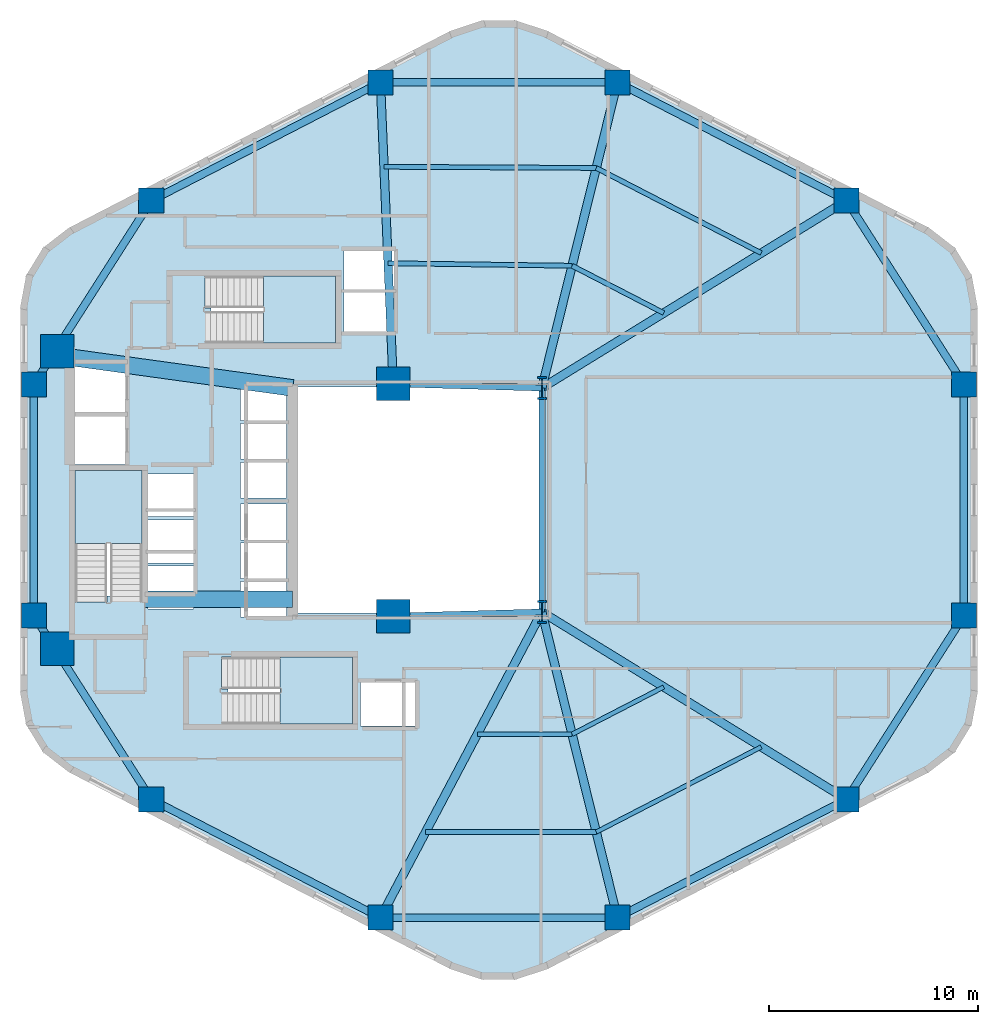
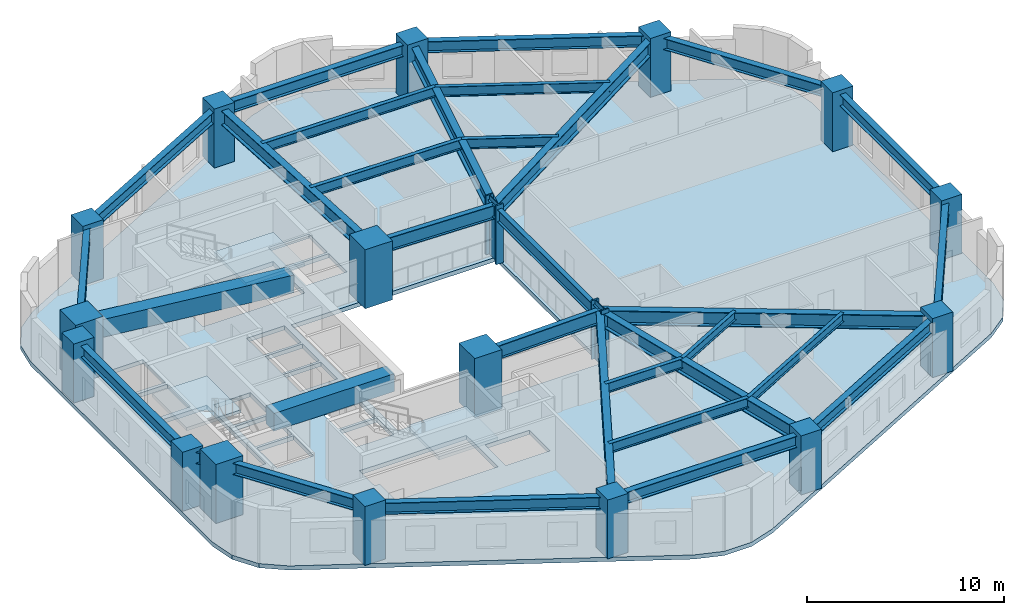
# One storey, part 1 of 7: 31 beams, 18 columns, 4 slabs, 3 elements without a shape of their own.
"""IFC4 building model written with IfcOpenShell, lengths in metres."""

from ifc_helpers import new_model, si_unit, direction, frame, origin, origin_2d, place, context, subcontext, project, spatial, polyline, rectangle, i_section, outline, extrude, material, layer, layer_set, material_profile, profile_set, type_object, element, aggregate, save


model = new_model("IFC4")

# Units and contexts
model_context = context("Model", 3, precision=1e-05, world=origin(), true_north=direction((0.0, 1.0)))
body_context = subcontext(model_context, "Body", "Model", "MODEL_VIEW")
ifc_project = project(units=[si_unit("LENGTHUNIT", "METRE"), si_unit("AREAUNIT", "SQUARE_METRE"), si_unit("VOLUMEUNIT", "CUBIC_METRE"), si_unit("PLANEANGLEUNIT", "RADIAN"), si_unit("MASSUNIT", "GRAM", prefix="KILO"), si_unit("THERMODYNAMICTEMPERATUREUNIT", "KELVIN"), si_unit("POWERUNIT", "WATT")], contexts=[model_context])

# Site, building, storey
site_placement = place(None, origin())
site = spatial("IfcSite", under=ifc_project, at=site_placement, CompositionType="ELEMENT")
building_placement = place(site_placement, origin())
building = spatial("IfcBuilding", under=site, at=building_placement, Name="Skarre Station Tower", CompositionType="ELEMENT")
storey_placement = place(building_placement, frame((0.0, 0.0, 89.050048828125)))
storey = spatial("IfcBuildingStorey", under=building, at=storey_placement, Name="L23", CompositionType="ELEMENT", Elevation=89.050048828125)

# Columns
ifc_material_1 = material(Name="Concrete C60/75", Category="concrete")
ifc_material_profile_1 = material_profile(ifc_material_1, rectangle(XDim=1.199951171875, YDim=1.199951171875, at=origin_2d()), Name="Concrete C60/75")
ifc_profile_set_1 = profile_set([ifc_material_profile_1], Name="Concrete C60/75")
column_type_1 = type_object("IfcColumnType", Name="RC Structural Column RC-COL-1200X1200", PredefinedType="COLUMN", material=ifc_profile_set_1)
for number, where, z_axis, x_axis, name in (
    (1, (54.007080078125, 38.298095703125, 0.0), (0.0, 0.0, 1.0), (1.0, 0.0, 0.0), "L23 Zone 1 Perimeter Column F0C1"),
    (2, (43.06005859375, 43.947021484375, 0.0), (0.0, 0.0, 1.0), (1.0, 0.0, 0.0), "L23 Zone 1 Perimeter Column F0C2"),
    (3, (31.739990234375, 43.947021484375, 0.0), (0.0, 0.0, 1.0), (1.0, 0.0, 0.0), "L23 Zone 1 Perimeter Column F1C1"),
    (4, (20.79296875, 38.298095703125, 0.0), (0.0, 0.0, 1.0), (1.0, 0.0, 0.0), "L23 Zone 1 Perimeter Column F1C2"),
    (5, (15.18701171875, 29.52099609375, 0.0), (0.0, 0.0, 1.0), (1.0, 0.0, 0.0), "L23 Zone 1 Perimeter Column F2C1"),
    (6, (15.18701171875, 18.47900390625, 0.0), (0.0, 0.0, 1.0), (1.0, 0.0, 0.0), "L23 Zone 1 Perimeter Column F2C2"),
    (7, (20.79296875, 9.701904296875, 0.0), (0.0, 0.0, 1.0), (1.0, 0.0, 0.0), "L23 Zone 1 Perimeter Column F3C1"),
    (8, (31.739990234375, 4.052978515625, 0.0), (0.0, 0.0, 1.0), (1.0, 0.0, 0.0), "L23 Zone 1 Perimeter Column F3C2"),
    (9, (43.06005859375, 4.052978515625, 0.0), (0.0, 0.0, 1.0), (1.0, 0.0, 0.0), "L23 Zone 1 Perimeter Column F4C1"),
    (10, (54.007080078125, 9.701904296875, 0.0), (0.0, 0.0, 1.0), (1.0, 0.0, 0.0), "L23 Zone 1 Perimeter Column F4C2"),
    (11, (59.613037109375, 18.47900390625, 0.0), (0.0, 0.0, 1.0), (1.0, 0.0, 0.0), "L23 Zone 1 Perimeter Column F5C1"),
    (12, (59.613037109375, 29.52099609375, 0.0), (0.0, 0.0, 1.0), (1.0, 0.0, 0.0), "L23 Zone 1 Perimeter Column F5C2"),
):
    element("IfcColumn", number, at=place(storey_placement, frame(where, z_axis=z_axis, x_axis=x_axis)), inside=storey, type_object=column_type_1, Name=name, PredefinedType="COLUMN", context=body_context, shape_type="SweptSolid", body=[
        extrude(rectangle(XDim=1.199951171875, YDim=1.199951171875, at=origin_2d()), origin(), (0.0, 0.0, 1.0), 3.64990234375),
    ])
ifc_material_2 = material(Name="Concrete C70/85", Category="concrete")
ifc_material_profile_2 = material_profile(ifc_material_2, rectangle(XDim=1.60009765625, YDim=1.60009765625, at=origin_2d()), Name="Concrete C70/85")
ifc_profile_set_2 = profile_set([ifc_material_profile_2], Name="Concrete C70/85")
column_type_2 = type_object("IfcColumnType", Name="RC Structural Column RC-COL-1600X1600", PredefinedType="COLUMN", material=ifc_profile_set_2)
for number, where, z_axis, x_axis, name in (
    (13, (16.300048828125, 16.89990234375, 0.0), (0.0, 0.0, 1.0), (1.0, 0.0, 0.0), "L23 Core Column CC-SW"),
    (14, (16.300048828125, 31.10009765625, 0.0), (0.0, 0.0, 1.0), (1.0, 0.0, 0.0), "L23 Core Column CC-NW"),
    (15, (32.35009765625, 18.449951171875, 0.0), (0.0, 0.0, 1.0), (1.0, 0.0, 0.0), "L23 Core Column CC-SE"),
    (16, (32.35009765625, 29.550048828125, 0.0), (0.0, 0.0, 1.0), (1.0, 0.0, 0.0), "L23 Core Column CC-NE"),
):
    element("IfcColumn", number, at=place(storey_placement, frame(where, z_axis=z_axis, x_axis=x_axis)), inside=storey, type_object=column_type_2, Name=name, PredefinedType="COLUMN", context=body_context, shape_type="SweptSolid", body=[
        extrude(rectangle(XDim=1.60009765625, YDim=1.60009765625, at=origin_2d()), origin(), (0.0, 0.0, 1.0), 3.64990234375),
    ])
ifc_material_3 = material(Name="Steel ASTM A913 Grade 65", Category="steel")
ifc_material_profile_3 = material_profile(ifc_material_3, i_section(OverallWidth=0.424072265625, OverallDepth=1.092041015625, WebThickness=0.044921875, FlangeThickness=0.08203125, at=origin_2d()), Name="Steel ASTM A913 Grade 65")
ifc_profile_set_3 = profile_set([ifc_material_profile_3], Name="Steel ASTM A913 Grade 65")
column_type_3 = type_object("IfcColumnType", Name="Steel Column W40X593", PredefinedType="COLUMN", material=ifc_profile_set_3)
for number, where, z_axis, x_axis, name in (
    (17, (39.449951171875, 18.64990234375, 0.0), (0.0, 0.0, 1.0), (1.0, 0.0, 0.0), "L23 Atrium Spine Column AC-SE"),
    (18, (39.449951171875, 29.35009765625, 0.0), (0.0, 0.0, 1.0), (1.0, 0.0, 0.0), "L23 Atrium Spine Column AC-NE"),
):
    element("IfcColumn", number, at=place(storey_placement, frame(where, z_axis=z_axis, x_axis=x_axis)), inside=storey, type_object=column_type_3, Name=name, PredefinedType="COLUMN", context=body_context, shape_type="SweptSolid", body=[
        extrude(i_section(OverallWidth=0.424072265625, OverallDepth=1.092041015625, WebThickness=0.044921875, FlangeThickness=0.08203125, at=origin_2d()), origin(), (0.0, 0.0, 1.0), 3.64990234375),
    ])

# Beams
ifc_material_profile_4 = material_profile(ifc_material_2, rectangle(XDim=0.800048828125, YDim=1.10009765625, at=origin_2d()), Name="Concrete C70/85")
ifc_profile_set_4 = profile_set([ifc_material_profile_4], Name="Concrete C70/85")
beam_type_1 = type_object("IfcBeamType", Name="RC Core Coupling Lintel 800x1100", PredefinedType="LINTEL", material=ifc_profile_set_4)
beam_1_placement = place(storey_placement, frame((20.489990234375, 19.260009765625, 2.83984375), z_axis=(1.0, 0.0, 0.0), x_axis=(0.0, 1.0, 0.0)))
element("IfcBeam", 19, at=beam_1_placement, inside=storey, type_object=beam_type_1, Name="L23 South Core Coupling Lintel", PredefinedType="LINTEL", context=body_context, shape_type="SweptSolid", body=[
    extrude(rectangle(XDim=0.800048828125, YDim=1.10009765625, at=origin_2d()), origin(), (0.0, 0.0, 1.0), 7.06005859375),
])
beam_2_placement = place(storey_placement, frame((17.050048828125, 30.800048828125, 2.83984375), z_axis=(0.990599723633, -0.136792498109, 0.0), x_axis=(0.136792498109, 0.990599723633, 0.0)))
element("IfcBeam", 20, at=beam_2_placement, inside=storey, type_object=beam_type_1, Name="L23 North Core Coupling Lintel", PredefinedType="LINTEL", context=body_context, shape_type="SweptSolid", body=[
    extrude(rectangle(XDim=0.800048828125, YDim=1.10009765625, at=origin_2d()), origin(), (0.0, 0.0, 1.0), 10.599609375),
])
ifc_material_4 = material(Name="Steel ASTM A992 Grade 50", Category="steel")
ifc_material_profile_5 = material_profile(ifc_material_4, i_section(OverallWidth=0.26806640625, OverallDepth=0.77001953125, WebThickness=0.01611328125, FlangeThickness=0.02490234375, at=origin_2d()), Name="Steel ASTM A992 Grade 50")
ifc_profile_set_5 = profile_set([ifc_material_profile_5], Name="Steel ASTM A992 Grade 50")
beam_type_2 = type_object("IfcBeamType", Name="Steel Beam W30X132", PredefinedType="BEAM", material=ifc_profile_set_5)
beam_3_placement = place(storey_placement, frame((39.449951171875, 18.64990234375, 3.0048828125), z_axis=(0.0, 1.0, 0.0), x_axis=(-1.0, 0.0, 0.0)))
element("IfcBeam", 21, at=beam_3_placement, inside=storey, type_object=beam_type_2, Name="L23 Atrium East Edge Girder", PredefinedType="BEAM", context=body_context, shape_type="SweptSolid", body=[
    extrude(i_section(OverallWidth=0.26806640625, OverallDepth=0.77001953125, WebThickness=0.01611328125, FlangeThickness=0.02490234375, at=origin_2d()), origin(), (0.0, 0.0, 1.0), 10.7001953125),
])
ifc_material_profile_6 = material_profile(ifc_material_4, i_section(OverallWidth=0.2919921875, OverallDepth=0.85888671875, WebThickness=0.01708984375, FlangeThickness=0.031005859375, at=origin_2d()), Name="Steel ASTM A992 Grade 50")
ifc_profile_set_6 = profile_set([ifc_material_profile_6], Name="Steel ASTM A992 Grade 50")
beam_type_3 = type_object("IfcBeamType", Name="Steel Beam W33X169", PredefinedType="BEAM", material=ifc_profile_set_6)
for number, where, z_axis, x_axis, name in (
    (22, (32.35009765625, 18.449951171875, 2.9599609375), (0.999603666405, 0.028151556095, 0.0), (-0.028151556095, 0.999603666405, 0.0), "L23 Atrium South Edge Girder"),
    (23, (32.35009765625, 29.550048828125, 2.9599609375), (0.999603666405, -0.028151556095, 0.0), (0.028151556095, 0.999603666405, 0.0), "L23 Atrium North Edge Girder"),
):
    element("IfcBeam", number, at=place(storey_placement, frame(where, z_axis=z_axis, x_axis=x_axis)), inside=storey, type_object=beam_type_3, Name=name, PredefinedType="BEAM", context=body_context, shape_type="SweptSolid", body=[
        extrude(i_section(OverallWidth=0.2919921875, OverallDepth=0.85888671875, WebThickness=0.01708984375, FlangeThickness=0.031005859375, at=origin_2d()), origin(), (0.0, 0.0, 1.0), 7.102783203125),
    ])
ifc_material_profile_7 = material_profile(ifc_material_4, i_section(OverallWidth=0.40087890625, OverallDepth=0.876953125, WebThickness=0.02197265625, FlangeThickness=0.0400390625, at=origin_2d()), Name="Steel ASTM A992 Grade 50")
ifc_profile_set_7 = profile_set([ifc_material_profile_7], Name="Steel ASTM A992 Grade 50")
beam_type_4 = type_object("IfcBeamType", Name="Steel Beam W33X263", PredefinedType="BEAM", material=ifc_profile_set_7)
beam_4_placement = place(storey_placement, frame((39.449951171875, 29.35009765625, 2.950927734375), z_axis=(0.851925565957, 0.523662897358, 0.0), x_axis=(-0.523662897358, 0.851925565957, 0.0)))
element("IfcBeam", 24, at=beam_4_placement, inside=storey, type_object=beam_type_4, Name="L23 Radial Floor Girder F0C1", PredefinedType="BEAM", context=body_context, shape_type="SweptSolid", body=[
    extrude(i_section(OverallWidth=0.40087890625, OverallDepth=0.876953125, WebThickness=0.02197265625, FlangeThickness=0.0400390625, at=origin_2d()), origin(), (0.0, 0.0, 1.0), 17.08740234375),
])
beam_5_placement = place(storey_placement, frame((39.449951171875, 29.35009765625, 2.950927734375), z_axis=(0.240086037639, 0.9707516132, 0.0), x_axis=(-0.9707516132, 0.240086037639, 0.0)))
element("IfcBeam", 25, at=beam_5_placement, inside=storey, type_object=beam_type_4, Name="L23 Radial Floor Girder F0C2", PredefinedType="BEAM", context=body_context, shape_type="SweptSolid", body=[
    extrude(i_section(OverallWidth=0.40087890625, OverallDepth=0.876953125, WebThickness=0.02197265625, FlangeThickness=0.0400390625, at=origin_2d()), origin(), (0.0, 0.0, 1.0), 15.03662109375),
])
beam_6_placement = place(storey_placement, frame((32.35009765625, 29.550048828125, 2.950927734375), z_axis=(-0.042339479433, 0.999103282189, 0.0), x_axis=(-0.999103282189, -0.042339479433, 0.0)))
element("IfcBeam", 26, at=beam_6_placement, inside=storey, type_object=beam_type_4, Name="L23 Radial Floor Girder F1C1", PredefinedType="BEAM", context=body_context, shape_type="SweptSolid", body=[
    extrude(i_section(OverallWidth=0.40087890625, OverallDepth=0.876953125, WebThickness=0.02197265625, FlangeThickness=0.0400390625, at=origin_2d()), origin(), (0.0, 0.0, 1.0), 14.409912109375),
])
beam_7_placement = place(storey_placement, frame((39.449951171875, 18.64990234375, 2.950927734375), z_axis=(-0.467044240884, -0.884233949279, 0.0), x_axis=(0.884233949279, -0.467044240884, 0.0)))
element("IfcBeam", 27, at=beam_7_placement, inside=storey, type_object=beam_type_4, Name="L23 Radial Floor Girder F3C2", PredefinedType="BEAM", context=body_context, shape_type="SweptSolid", body=[
    extrude(i_section(OverallWidth=0.40087890625, OverallDepth=0.876953125, WebThickness=0.02197265625, FlangeThickness=0.0400390625, at=origin_2d()), origin(), (0.0, 0.0, 1.0), 16.508056640625),
])
beam_8_placement = place(storey_placement, frame((39.449951171875, 18.64990234375, 2.950927734375), z_axis=(0.240086037639, -0.9707516132, 0.0), x_axis=(0.9707516132, 0.240086037639, 0.0)))
element("IfcBeam", 28, at=beam_8_placement, inside=storey, type_object=beam_type_4, Name="L23 Radial Floor Girder F4C1", PredefinedType="BEAM", context=body_context, shape_type="SweptSolid", body=[
    extrude(i_section(OverallWidth=0.40087890625, OverallDepth=0.876953125, WebThickness=0.02197265625, FlangeThickness=0.0400390625, at=origin_2d()), origin(), (0.0, 0.0, 1.0), 15.03662109375),
])
beam_9_placement = place(storey_placement, frame((39.449951171875, 18.64990234375, 2.950927734375), z_axis=(0.851925565957, -0.523662897358, 0.0), x_axis=(0.523662897358, 0.851925565957, 0.0)))
element("IfcBeam", 29, at=beam_9_placement, inside=storey, type_object=beam_type_4, Name="L23 Radial Floor Girder F4C2", PredefinedType="BEAM", context=body_context, shape_type="SweptSolid", body=[
    extrude(i_section(OverallWidth=0.40087890625, OverallDepth=0.876953125, WebThickness=0.02197265625, FlangeThickness=0.0400390625, at=origin_2d()), origin(), (0.0, 0.0, 1.0), 17.08740234375),
])
ifc_material_profile_8 = material_profile(ifc_material_4, i_section(OverallWidth=0.208984375, OverallDepth=0.532958984375, WebThickness=0.010009765625, FlangeThickness=0.01611328125, at=origin_2d()), Name="Steel ASTM A992 Grade 50")
ifc_profile_set_8 = profile_set([ifc_material_profile_8], Name="Steel ASTM A992 Grade 50")
beam_type_5 = type_object("IfcBeamType", Name="Steel Joist W21X62", PredefinedType="JOIST", material=ifc_profile_set_8)
beam_10_placement = place(storey_placement, frame((40.89404296875, 12.81103515625, 3.1240234375), z_axis=(0.888626519249, 0.458631561591, 0.0), x_axis=(-0.458631561591, 0.888626519249, 0.0)))
element("IfcBeam", 30, at=beam_10_placement, inside=storey, type_object=beam_type_5, Name="L23 Auxiliary Composite Joist 7", PredefinedType="JOIST", context=body_context, shape_type="SweptSolid", body=[
    extrude(i_section(OverallWidth=0.208984375, OverallDepth=0.532958984375, WebThickness=0.010009765625, FlangeThickness=0.01611328125, at=origin_2d()), origin(), (0.0, 0.0, 1.0), 4.927734375),
])
beam_11_placement = place(storey_placement, frame((42.049072265625, 8.139892578125, 3.1240234375), z_axis=(0.88866227096, 0.458562283853, 0.0), x_axis=(-0.458562283853, 0.88866227096, 0.0)))
element("IfcBeam", 31, at=beam_11_placement, inside=storey, type_object=beam_type_5, Name="L23 Auxiliary Composite Joist 8", PredefinedType="JOIST", context=body_context, shape_type="SweptSolid", body=[
    extrude(i_section(OverallWidth=0.208984375, OverallDepth=0.532958984375, WebThickness=0.010009765625, FlangeThickness=0.01611328125, at=origin_2d()), origin(), (0.0, 0.0, 1.0), 8.869384765625),
])
ifc_material_profile_9 = material_profile(ifc_material_4, i_section(OverallWidth=0.22802734375, OverallDepth=0.60791015625, WebThickness=0.010986328125, FlangeThickness=0.01708984375, at=origin_2d()), Name="Steel ASTM A992 Grade 50")
ifc_profile_set_9 = profile_set([ifc_material_profile_9], Name="Steel ASTM A992 Grade 50")
beam_type_6 = type_object("IfcBeamType", Name="Steel Joist W24X76", PredefinedType="JOIST", material=ifc_profile_set_9)
beam_12_placement = place(storey_placement, frame((45.27294921875, 32.928955078125, 3.0859375), z_axis=(-0.888626519249, 0.458631561591, 0.0), x_axis=(-0.458631561591, -0.888626519249, 0.0)))
element("IfcBeam", 32, at=beam_12_placement, inside=storey, type_object=beam_type_6, Name="L23 Secondary Floor Joist 1", PredefinedType="JOIST", context=body_context, shape_type="SweptSolid", body=[
    extrude(i_section(OverallWidth=0.22802734375, OverallDepth=0.60791015625, WebThickness=0.010986328125, FlangeThickness=0.01708984375, at=origin_2d()), origin(), (0.0, 0.0, 1.0), 4.927734375),
])
beam_13_placement = place(storey_placement, frame((49.930908203125, 35.79296875, 3.0859375), z_axis=(-0.88866227096, 0.458562283853, 0.0), x_axis=(-0.458562283853, -0.88866227096, 0.0)))
element("IfcBeam", 33, at=beam_13_placement, inside=storey, type_object=beam_type_6, Name="L23 Secondary Floor Joist 2", PredefinedType="JOIST", context=body_context, shape_type="SweptSolid", body=[
    extrude(i_section(OverallWidth=0.22802734375, OverallDepth=0.60791015625, WebThickness=0.010986328125, FlangeThickness=0.01708984375, at=origin_2d()), origin(), (0.0, 0.0, 1.0), 8.869384765625),
])
beam_14_placement = place(storey_placement, frame((40.89404296875, 35.18896484375, 3.0859375), z_axis=(-0.999906603441, 0.013666908792, 0.0), x_axis=(-0.013666908792, -0.999906603441, 0.0)))
element("IfcBeam", 34, at=beam_14_placement, inside=storey, type_object=beam_type_6, Name="L23 Secondary Floor Joist 3", PredefinedType="JOIST", context=body_context, shape_type="SweptSolid", body=[
    extrude(i_section(OverallWidth=0.22802734375, OverallDepth=0.60791015625, WebThickness=0.010986328125, FlangeThickness=0.01708984375, at=origin_2d()), origin(), (0.0, 0.0, 1.0), 8.788818359375),
])
beam_15_placement = place(storey_placement, frame((42.049072265625, 39.860107421875, 3.0859375), z_axis=(-0.999984794845, 0.005514533498, 0.0), x_axis=(-0.005514533498, -0.999984794845, 0.0)))
element("IfcBeam", 35, at=beam_15_placement, inside=storey, type_object=beam_type_6, Name="L23 Secondary Floor Joist 4", PredefinedType="JOIST", context=body_context, shape_type="SweptSolid", body=[
    extrude(i_section(OverallWidth=0.22802734375, OverallDepth=0.60791015625, WebThickness=0.010986328125, FlangeThickness=0.01708984375, at=origin_2d()), origin(), (0.0, 0.0, 1.0), 10.138427734375),
])
beam_16_placement = place(storey_placement, frame((36.365966796875, 12.81103515625, 3.0859375), z_axis=(1.0, 0.0, 0.0), x_axis=(0.0, 1.0, 0.0)))
element("IfcBeam", 36, at=beam_16_placement, inside=storey, type_object=beam_type_6, Name="L23 Secondary Floor Joist 5", PredefinedType="JOIST", context=body_context, shape_type="SweptSolid", body=[
    extrude(i_section(OverallWidth=0.22802734375, OverallDepth=0.60791015625, WebThickness=0.010986328125, FlangeThickness=0.01708984375, at=origin_2d()), origin(), (0.0, 0.0, 1.0), 4.528076171875),
])
beam_17_placement = place(storey_placement, frame((33.89892578125, 8.139892578125, 3.0859375), z_axis=(1.0, 0.0, 0.0), x_axis=(0.0, 1.0, 0.0)))
element("IfcBeam", 37, at=beam_17_placement, inside=storey, type_object=beam_type_6, Name="L23 Secondary Floor Joist 6", PredefinedType="JOIST", context=body_context, shape_type="SweptSolid", body=[
    extrude(i_section(OverallWidth=0.22802734375, OverallDepth=0.60791015625, WebThickness=0.010986328125, FlangeThickness=0.01708984375, at=origin_2d()), origin(), (0.0, 0.0, 1.0), 8.150146484375),
])
ifc_material_profile_10 = material_profile(ifc_material_4, i_section(OverallWidth=0.35791015625, OverallDepth=0.7060546875, WebThickness=0.01806640625, FlangeThickness=0.030029296875, at=origin_2d()), Name="Steel ASTM A992 Grade 50")
ifc_profile_set_10 = profile_set([ifc_material_profile_10], Name="Steel ASTM A992 Grade 50")
beam_type_7 = type_object("IfcBeamType", Name="Steel Spandrel W27X178", PredefinedType="SPANDREL", material=ifc_profile_set_10)
beam_18_placement = place(storey_placement, frame((54.007080078125, 38.298095703125, 3.036865234375), z_axis=(-0.888658695823, 0.458569212158, 0.0), x_axis=(-0.458569212158, -0.888658695823, 0.0)))
element("IfcBeam", 38, at=beam_18_placement, inside=storey, type_object=beam_type_7, Name="L23 Facet Spandrel Beam 1", PredefinedType="SPANDREL", context=body_context, shape_type="SweptSolid", body=[
    extrude(i_section(OverallWidth=0.35791015625, OverallDepth=0.7060546875, WebThickness=0.01806640625, FlangeThickness=0.030029296875, at=origin_2d()), origin(), (0.0, 0.0, 1.0), 12.318603515625),
])
beam_19_placement = place(storey_placement, frame((43.06005859375, 43.947021484375, 3.036865234375), z_axis=(-1.0, 0.0, 0.0), x_axis=(0.0, -1.0, 0.0)))
element("IfcBeam", 39, at=beam_19_placement, inside=storey, type_object=beam_type_7, Name="L23 Facet Spandrel Beam 2", PredefinedType="SPANDREL", context=body_context, shape_type="SweptSolid", body=[
    extrude(i_section(OverallWidth=0.35791015625, OverallDepth=0.7060546875, WebThickness=0.01806640625, FlangeThickness=0.030029296875, at=origin_2d()), origin(), (0.0, 0.0, 1.0), 11.320068359375),
])
beam_20_placement = place(storey_placement, frame((31.739990234375, 43.947021484375, 3.036865234375), z_axis=(-0.888658695823, -0.458569212158, 0.0), x_axis=(0.458569212158, -0.888658695823, 0.0)))
element("IfcBeam", 40, at=beam_20_placement, inside=storey, type_object=beam_type_7, Name="L23 Facet Spandrel Beam 3", PredefinedType="SPANDREL", context=body_context, shape_type="SweptSolid", body=[
    extrude(i_section(OverallWidth=0.35791015625, OverallDepth=0.7060546875, WebThickness=0.01806640625, FlangeThickness=0.030029296875, at=origin_2d()), origin(), (0.0, 0.0, 1.0), 12.318603515625),
])
beam_21_placement = place(storey_placement, frame((20.79296875, 38.298095703125, 3.036865234375), z_axis=(-0.538277829225, -0.842767452246, 0.0), x_axis=(0.842767452246, -0.538277829225, 0.0)))
element("IfcBeam", 41, at=beam_21_placement, inside=storey, type_object=beam_type_7, Name="L23 Facet Spandrel Beam 4", PredefinedType="SPANDREL", context=body_context, shape_type="SweptSolid", body=[
    extrude(i_section(OverallWidth=0.35791015625, OverallDepth=0.7060546875, WebThickness=0.01806640625, FlangeThickness=0.030029296875, at=origin_2d()), origin(), (0.0, 0.0, 1.0), 10.41455078125),
])
beam_22_placement = place(storey_placement, frame((15.18701171875, 29.52099609375, 3.036865234375), z_axis=(0.0, -1.0, 0.0), x_axis=(1.0, 0.0, 0.0)))
element("IfcBeam", 42, at=beam_22_placement, inside=storey, type_object=beam_type_7, Name="L23 Facet Spandrel Beam 5", PredefinedType="SPANDREL", context=body_context, shape_type="SweptSolid", body=[
    extrude(i_section(OverallWidth=0.35791015625, OverallDepth=0.7060546875, WebThickness=0.01806640625, FlangeThickness=0.030029296875, at=origin_2d()), origin(), (0.0, 0.0, 1.0), 11.0419921875),
])
beam_23_placement = place(storey_placement, frame((15.18701171875, 18.47900390625, 3.036865234375), z_axis=(0.538277829225, -0.842767452246, 0.0), x_axis=(0.842767452246, 0.538277829225, 0.0)))
element("IfcBeam", 43, at=beam_23_placement, inside=storey, type_object=beam_type_7, Name="L23 Facet Spandrel Beam 6", PredefinedType="SPANDREL", context=body_context, shape_type="SweptSolid", body=[
    extrude(i_section(OverallWidth=0.35791015625, OverallDepth=0.7060546875, WebThickness=0.01806640625, FlangeThickness=0.030029296875, at=origin_2d()), origin(), (0.0, 0.0, 1.0), 10.41455078125),
])
beam_24_placement = place(storey_placement, frame((20.79296875, 9.701904296875, 3.036865234375), z_axis=(0.888658695823, -0.458569212158, 0.0), x_axis=(0.458569212158, 0.888658695823, 0.0)))
element("IfcBeam", 44, at=beam_24_placement, inside=storey, type_object=beam_type_7, Name="L23 Facet Spandrel Beam 7", PredefinedType="SPANDREL", context=body_context, shape_type="SweptSolid", body=[
    extrude(i_section(OverallWidth=0.35791015625, OverallDepth=0.7060546875, WebThickness=0.01806640625, FlangeThickness=0.030029296875, at=origin_2d()), origin(), (0.0, 0.0, 1.0), 12.318603515625),
])
beam_25_placement = place(storey_placement, frame((31.739990234375, 4.052978515625, 3.036865234375), z_axis=(1.0, 0.0, 0.0), x_axis=(0.0, 1.0, 0.0)))
element("IfcBeam", 45, at=beam_25_placement, inside=storey, type_object=beam_type_7, Name="L23 Facet Spandrel Beam 8", PredefinedType="SPANDREL", context=body_context, shape_type="SweptSolid", body=[
    extrude(i_section(OverallWidth=0.35791015625, OverallDepth=0.7060546875, WebThickness=0.01806640625, FlangeThickness=0.030029296875, at=origin_2d()), origin(), (0.0, 0.0, 1.0), 11.320068359375),
])
beam_26_placement = place(storey_placement, frame((43.06005859375, 4.052978515625, 3.036865234375), z_axis=(0.888658695823, 0.458569212158, 0.0), x_axis=(-0.458569212158, 0.888658695823, 0.0)))
element("IfcBeam", 46, at=beam_26_placement, inside=storey, type_object=beam_type_7, Name="L23 Facet Spandrel Beam 9", PredefinedType="SPANDREL", context=body_context, shape_type="SweptSolid", body=[
    extrude(i_section(OverallWidth=0.35791015625, OverallDepth=0.7060546875, WebThickness=0.01806640625, FlangeThickness=0.030029296875, at=origin_2d()), origin(), (0.0, 0.0, 1.0), 12.318603515625),
])
beam_27_placement = place(storey_placement, frame((54.007080078125, 9.701904296875, 3.036865234375), z_axis=(0.538277829225, 0.842767452246, 0.0), x_axis=(-0.842767452246, 0.538277829225, 0.0)))
element("IfcBeam", 47, at=beam_27_placement, inside=storey, type_object=beam_type_7, Name="L23 Facet Spandrel Beam 10", PredefinedType="SPANDREL", context=body_context, shape_type="SweptSolid", body=[
    extrude(i_section(OverallWidth=0.35791015625, OverallDepth=0.7060546875, WebThickness=0.01806640625, FlangeThickness=0.030029296875, at=origin_2d()), origin(), (0.0, 0.0, 1.0), 10.41455078125),
])
beam_28_placement = place(storey_placement, frame((59.613037109375, 18.47900390625, 3.036865234375), z_axis=(0.0, 1.0, 0.0), x_axis=(-1.0, 0.0, 0.0)))
element("IfcBeam", 48, at=beam_28_placement, inside=storey, type_object=beam_type_7, Name="L23 Facet Spandrel Beam 11", PredefinedType="SPANDREL", context=body_context, shape_type="SweptSolid", body=[
    extrude(i_section(OverallWidth=0.35791015625, OverallDepth=0.7060546875, WebThickness=0.01806640625, FlangeThickness=0.030029296875, at=origin_2d()), origin(), (0.0, 0.0, 1.0), 11.0419921875),
])
beam_29_placement = place(storey_placement, frame((59.613037109375, 29.52099609375, 3.036865234375), z_axis=(-0.538277829225, 0.842767452246, 0.0), x_axis=(-0.842767452246, -0.538277829225, 0.0)))
element("IfcBeam", 49, at=beam_29_placement, inside=storey, type_object=beam_type_7, Name="L23 Facet Spandrel Beam 12", PredefinedType="SPANDREL", context=body_context, shape_type="SweptSolid", body=[
    extrude(i_section(OverallWidth=0.35791015625, OverallDepth=0.7060546875, WebThickness=0.01806640625, FlangeThickness=0.030029296875, at=origin_2d()), origin(), (0.0, 0.0, 1.0), 10.41455078125),
])

# Stair, slab
ifc_material_5 = material(Name="Concrete C40/50", Category="concrete")
stair_type_1 = type_object("IfcStairType", Name="Reinforced Concrete Exit Stair ST-1", PredefinedType="HALF_TURN_STAIR", material=ifc_material_5)
stair_1_placement = place(storey_placement, origin())
stair_1 = element("IfcStair", 50, at=stair_1_placement, inside=storey, type_object=stair_type_1, Name="L23 Core Exit Stair ST-1", PredefinedType="HALF_TURN_STAIR")
ifc_layer_1 = layer(ifc_material_5, 0.219970703125, Name="Concrete C40/50")
ifc_layer_set_1 = layer_set([ifc_layer_1], Name="Concrete C40/50")
slab_type_1 = type_object("IfcSlabType", Name="Reinforced Concrete Stair & Ramp Landing 220", PredefinedType="LANDING", material=ifc_layer_set_1)
slab_1_placement = place(storey_placement, frame((0.0, 0.0, 1.625)))
slab_1 = element("IfcSlab", 51, at=slab_1_placement, type_object=slab_type_1, Name="ST-1 landing 1", PredefinedType="LANDING", context=body_context, shape_type="SweptSolid", body=[
    extrude(outline(polyline([(20.35009765625, 21.919921875), (20.35009765625, 25.39990234375), (17.14990234375, 25.39990234375), (17.14990234375, 21.919921875), (20.35009765625, 21.919921875)])), origin(), (0.0, 0.0, 1.0), 0.199951171875),
])
aggregate(stair_1, [slab_1])

stair_type_2 = type_object("IfcStairType", Name="Reinforced Concrete Exit Stair ST-2", PredefinedType="HALF_TURN_STAIR", material=ifc_material_5)
stair_2_placement = place(storey_placement, origin())
stair_2 = element("IfcStair", 52, at=stair_2_placement, inside=storey, type_object=stair_type_2, Name="L23 Core Exit Stair ST-2", PredefinedType="HALF_TURN_STAIR")
slab_2_placement = place(storey_placement, frame((0.0, 0.0, 1.625)))
slab_2 = element("IfcSlab", 53, at=slab_2_placement, type_object=slab_type_1, Name="ST-2 landing 1", PredefinedType="LANDING", context=body_context, shape_type="SweptSolid", body=[
    extrude(outline(polyline([(26.949951171875, 13.300048828125), (30.39990234375, 13.300048828125), (30.39990234375, 16.5), (26.949951171875, 16.5), (26.949951171875, 13.300048828125)])), origin(), (0.0, 0.0, 1.0), 0.199951171875),
])
aggregate(stair_2, [slab_2])

stair_type_3 = type_object("IfcStairType", Name="Reinforced Concrete Exit Stair ST-3", PredefinedType="HALF_TURN_STAIR", material=ifc_material_5)
stair_3_placement = place(storey_placement, origin())
stair_3 = element("IfcStair", 54, at=stair_3_placement, inside=storey, type_object=stair_type_3, Name="L23 Core Exit Stair ST-3", PredefinedType="HALF_TURN_STAIR")
slab_3_placement = place(storey_placement, frame((0.0, 0.0, 1.625)))
slab_3 = element("IfcSlab", 55, at=slab_3_placement, type_object=slab_type_1, Name="ST-3 landing 1", PredefinedType="LANDING", context=body_context, shape_type="SweptSolid", body=[
    extrude(outline(polyline([(26.14990234375, 31.5), (29.60009765625, 31.5), (29.60009765625, 34.699951171875), (26.14990234375, 34.699951171875), (26.14990234375, 31.5)])), origin(), (0.0, 0.0, 1.0), 0.199951171875),
])
aggregate(stair_3, [slab_3])

# Slab
ifc_material_6 = material(Name="Concrete C50/60", Category="concrete")
ifc_layer_2 = layer(ifc_material_6, 0.260009765625, Name="Concrete C50/60")
ifc_layer_set_2 = layer_set([ifc_layer_2], Name="Concrete C50/60")
slab_type_2 = type_object("IfcSlabType", Name="Tower Typical Composite Floor Slab 260", PredefinedType="FLOOR", material=ifc_layer_set_2)
slab_4_placement = place(storey_placement, frame((0.0, 0.0, -0.260009765625)))
element("IfcSlab", 56, at=slab_4_placement, inside=storey, type_object=slab_type_2, Name="L23 Zone 1 Structural Floor Slab", PredefinedType="FLOOR", context=body_context, shape_type="SweptSolid", body=[
    extrude(outline(polyline([(60.262939453125, 33.201904296875), (59.98193359375, 34.72412109375), (59.177001953125, 36.044921875), (57.9541015625, 36.991943359375), (39.708984375, 46.407958984375), (38.196044921875, 46.906005859375), (36.60400390625, 46.906005859375), (35.091064453125, 46.407958984375), (16.845947265625, 36.991943359375), (15.623046875, 36.044921875), (14.818115234375, 34.72412109375), (14.537109375, 33.201904296875), (14.537109375, 14.798095703125), (14.818115234375, 13.27587890625), (15.623046875, 11.955078125), (16.845947265625, 11.008056640625), (35.091064453125, 1.592041015625), (36.60400390625, 1.093994140625), (38.196044921875, 1.093994140625), (39.708984375, 1.592041015625), (57.9541015625, 11.008056640625), (59.177001953125, 11.955078125), (59.98193359375, 13.27587890625), (60.262939453125, 14.798095703125), (60.262939453125, 33.201904296875)]), holes=[polyline([(18.669921875, 19.419921875), (18.669921875, 19.123046875), (17.14990234375, 19.123046875), (17.14990234375, 25.39990234375), (20.35009765625, 25.39990234375), (20.35009765625, 19.419921875), (18.669921875, 19.419921875)]), polyline([(24.449951171875, 14.97998046875), (24.153076171875, 14.97998046875), (24.153076171875, 16.5), (30.39990234375, 16.5), (30.39990234375, 13.300048828125), (24.449951171875, 13.300048828125), (24.449951171875, 14.97998046875)]), polyline([(23.64990234375, 33.179931640625), (23.35302734375, 33.179931640625), (23.35302734375, 34.699951171875), (29.60009765625, 34.699951171875), (29.60009765625, 31.5), (23.64990234375, 31.5), (23.64990234375, 33.179931640625)]), polyline([(17.14990234375, 28.0), (19.550048828125, 28.0), (19.550048828125, 25.699951171875), (17.14990234375, 25.699951171875), (17.14990234375, 28.0)]), polyline([(17.14990234375, 30.5), (19.550048828125, 30.5), (19.550048828125, 28.199951171875), (17.14990234375, 28.199951171875), (17.14990234375, 30.5)]), polyline([(30.800048828125, 15.300048828125), (33.39990234375, 15.300048828125), (33.39990234375, 13.199951171875), (30.800048828125, 13.199951171875), (30.800048828125, 15.300048828125)]), polyline([(25.050048828125, 20.10009765625), (27.25, 20.10009765625), (27.25, 18.39990234375), (25.050048828125, 18.39990234375), (25.050048828125, 20.10009765625)]), polyline([(25.050048828125, 21.949951171875), (27.25, 21.949951171875), (27.25, 20.25), (25.050048828125, 20.25), (25.050048828125, 21.949951171875)]), polyline([(25.050048828125, 23.800048828125), (27.25, 23.800048828125), (27.25, 22.10009765625), (25.050048828125, 22.10009765625), (25.050048828125, 23.800048828125)]), polyline([(25.050048828125, 25.800048828125), (27.25, 25.800048828125), (27.25, 24.10009765625), (25.050048828125, 24.10009765625), (25.050048828125, 25.800048828125)]), polyline([(25.050048828125, 27.64990234375), (27.25, 27.64990234375), (27.25, 25.949951171875), (25.050048828125, 25.949951171875), (25.050048828125, 27.64990234375)]), polyline([(25.050048828125, 29.5), (27.25, 29.5), (27.25, 27.800048828125), (25.050048828125, 27.800048828125), (25.050048828125, 29.5)]), polyline([(20.64990234375, 20.85009765625), (22.800048828125, 20.85009765625), (22.800048828125, 18.800048828125), (20.64990234375, 18.800048828125), (20.64990234375, 20.85009765625)]), polyline([(20.64990234375, 23.050048828125), (22.800048828125, 23.050048828125), (22.800048828125, 21.0), (20.64990234375, 21.0), (20.64990234375, 23.050048828125)]), polyline([(20.64990234375, 25.25), (22.800048828125, 25.25), (22.800048828125, 23.199951171875), (20.64990234375, 23.199951171875), (20.64990234375, 25.25)]), polyline([(30.0, 33.89990234375), (32.39990234375, 33.89990234375), (32.39990234375, 32.050048828125), (30.0, 32.050048828125), (30.0, 33.89990234375)]), polyline([(30.0, 35.89990234375), (32.39990234375, 35.89990234375), (32.39990234375, 34.050048828125), (30.0, 34.050048828125), (30.0, 35.89990234375)]), polyline([(27.60009765625, 29.39990234375), (39.60009765625, 29.39990234375), (39.60009765625, 18.60009765625), (27.60009765625, 18.60009765625), (27.60009765625, 29.39990234375)])]), origin(), (0.0, 0.0, 1.0), 0.260009765625),
])

save(model, "model.ifc")
